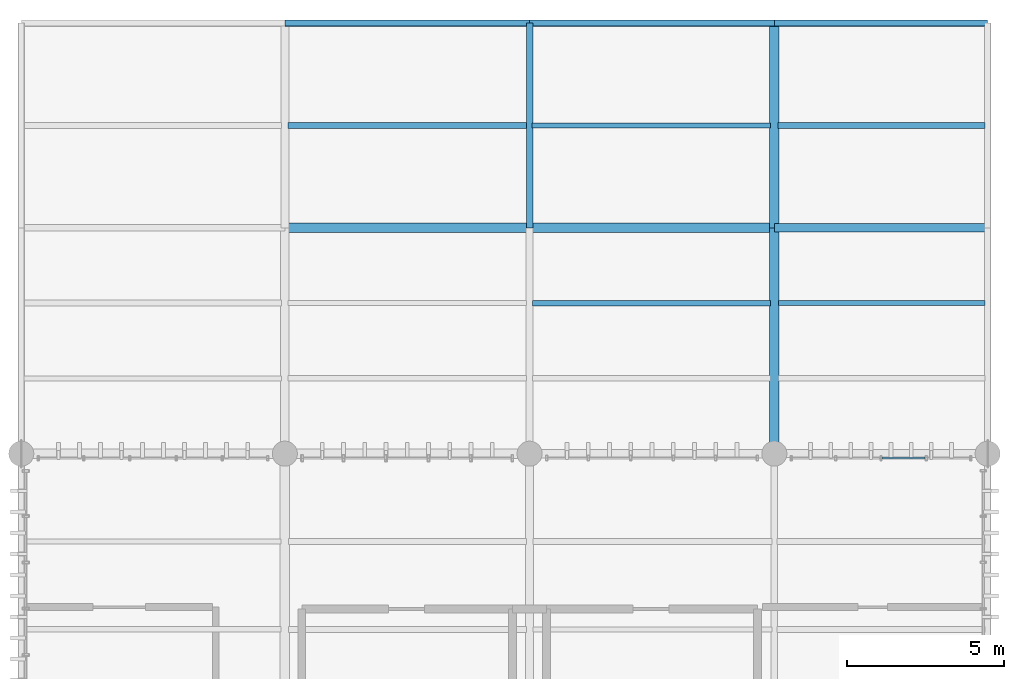
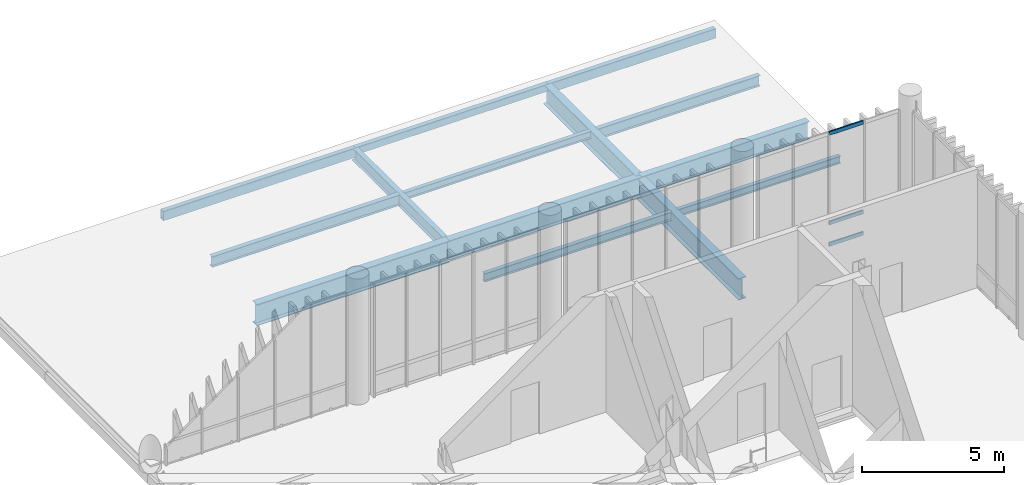
# One storey, part 90 of 128: 14 beams, 3 members, 1 element without a shape of its own.
"""IFC4 building model written with IfcOpenShell, lengths in metres."""

from ifc_helpers import new_model, si_unit, direction, frame, origin_with_axes, origin_2d_with_axis, place, context, subcontext, project, spatial, hollow_rectangle, i_section, extrude, material, material_profile, profile_set, type_object, element, aggregate, save


model = new_model("IFC4")

# Units and contexts
model_context = context("Model", 3, precision=1e-05, world=origin_with_axes(), true_north=direction((0.0, 1.0)))
body_context = subcontext(model_context, "Body", "Model", "MODEL_VIEW")
ifc_project = project(units=[si_unit("LENGTHUNIT", "METRE"), si_unit("AREAUNIT", "SQUARE_METRE"), si_unit("VOLUMEUNIT", "CUBIC_METRE"), si_unit("PLANEANGLEUNIT", "RADIAN"), si_unit("MASSUNIT", "GRAM", prefix="KILO"), si_unit("THERMODYNAMICTEMPERATUREUNIT", "KELVIN")], contexts=[model_context])

# Site, building, storey
site_placement = place(None, origin_with_axes())
site = spatial("IfcSite", under=ifc_project, at=site_placement, CompositionType="ELEMENT")
building_placement = place(site_placement, origin_with_axes())
building = spatial("IfcBuilding", under=site, at=building_placement, Name="Montbau Bow Law Courts", CompositionType="ELEMENT")
storey_placement = place(building_placement, frame((0.0, 0.0, 5.4), z_axis=(0.0, 0.0, 1.0), x_axis=(1.0, 0.0, 0.0)))
storey = spatial("IfcBuildingStorey", under=building, at=storey_placement, Name="L01", CompositionType="ELEMENT", Elevation=5.4)

# Beams
ifc_material_1 = material(Name="Steel CSA G40.21 Grade 350W (350 MPa)", Category="steel")
ifc_material_profile_1 = material_profile(ifc_material_1, i_section(OverallWidth=0.306, OverallDepth=0.919, WebThickness=0.0173, FlangeThickness=0.0279, at=origin_2d_with_axis()), Name="W920X253", Category="Main", Priority=0)
ifc_profile_set_1 = profile_set([ifc_material_profile_1], Name="Steel CSA G40.21 Grade 350W (350 MPa)")
beam_type_1 = type_object("IfcBeamType", Name="B-FLR-01", PredefinedType="BEAM", material=ifc_profile_set_1)
beam_1_placement = place(None, frame((147.0, 110.4, 4.691), z_axis=(1.0, 0.0, 0.0), x_axis=(0.0, 1.0, 0.0)))
element("IfcBeam", 1, at=beam_1_placement, inside=storey, type_object=beam_type_1, Name="BM-L01-S1123:bm2_1126", PredefinedType="BEAM", context=body_context, shape_type="SweptSolid", body=[
    extrude(i_section(OverallWidth=0.306, OverallDepth=0.919, WebThickness=0.0173, FlangeThickness=0.0279, at=origin_2d_with_axis()), origin_with_axes(), (0.0, 0.0, 1.0), 7.8),
])
beam_2_placement = place(None, frame((162.6, 103.2, 4.66), z_axis=(0.0, 1.0, 0.0), x_axis=(-1.0, 0.0, 0.0)))
element("IfcBeam", 2, at=beam_2_placement, inside=storey, type_object=beam_type_1, Name="BM-L01-S1156:bm2_1159", PredefinedType="BEAM", context=body_context, shape_type="SweptSolid", body=[
    extrude(i_section(OverallWidth=0.306, OverallDepth=0.919, WebThickness=0.0173, FlangeThickness=0.0279, at=origin_2d_with_axis()), origin_with_axes(), (0.0, 0.0, 1.0), 7.2),
])
ifc_material_profile_2 = material_profile(ifc_material_1, i_section(OverallWidth=0.293, OverallDepth=0.846, WebThickness=0.0154, FlangeThickness=0.0244, at=origin_2d_with_axis()), Name="W840X210", Category="Main", Priority=0)
ifc_profile_set_2 = profile_set([ifc_material_profile_2], Name="Steel CSA G40.21 Grade 350W (350 MPa)")
beam_type_2 = type_object("IfcBeamType", Name="B-FLR-02", PredefinedType="BEAM", material=ifc_profile_set_2)
beam_3_placement = place(None, frame((154.8, 110.4, 4.727), z_axis=(1.0, 0.0, 0.0), x_axis=(0.0, 1.0, 0.0)))
element("IfcBeam", 3, at=beam_3_placement, inside=storey, type_object=beam_type_2, Name="BM-L01-S1124:bm2_1127", PredefinedType="BEAM", context=body_context, shape_type="SweptSolid", body=[
    extrude(i_section(OverallWidth=0.293, OverallDepth=0.846, WebThickness=0.0154, FlangeThickness=0.0244, at=origin_2d_with_axis()), origin_with_axes(), (0.0, 0.0, 1.0), 7.8),
])
beam_4_placement = place(None, frame((162.6, 110.4, 4.727), z_axis=(0.0, 1.0, 0.0), x_axis=(-1.0, 0.0, 0.0)))
element("IfcBeam", 4, at=beam_4_placement, inside=storey, type_object=beam_type_2, Name="BM-L01-S1157:bm2_1160", PredefinedType="BEAM", context=body_context, shape_type="SweptSolid", body=[
    extrude(i_section(OverallWidth=0.293, OverallDepth=0.846, WebThickness=0.0154, FlangeThickness=0.0244, at=origin_2d_with_axis()), origin_with_axes(), (0.0, 0.0, 1.0), 6.52),
])
ifc_material_profile_3 = material_profile(ifc_material_1, i_section(OverallWidth=0.267, OverallDepth=0.766, WebThickness=0.0149, FlangeThickness=0.0236, at=origin_2d_with_axis()), Name="W760X185", Category="Main", Priority=0)
ifc_profile_set_3 = profile_set([ifc_material_profile_3], Name="Steel CSA G40.21 Grade 350W (350 MPa)")
beam_type_3 = type_object("IfcBeamType", Name="B-FLR-03", PredefinedType="BEAM", material=ifc_profile_set_3)
beam_5_placement = place(None, frame((162.6, 110.4, 4.767), z_axis=(1.0, 0.0, 0.0), x_axis=(0.0, 1.0, 0.0)))
element("IfcBeam", 5, at=beam_5_placement, inside=storey, type_object=beam_type_3, Name="BM-L01-S1125:bm2_1128", PredefinedType="BEAM", context=body_context, shape_type="SweptSolid", body=[
    extrude(i_section(OverallWidth=0.267, OverallDepth=0.766, WebThickness=0.0149, FlangeThickness=0.0236, at=origin_2d_with_axis()), origin_with_axes(), (0.0, 0.0, 1.0), 6.8),
])
ifc_material_profile_4 = material_profile(ifc_material_1, i_section(OverallWidth=0.21, OverallDepth=0.537, WebThickness=0.0109, FlangeThickness=0.0174, at=origin_2d_with_axis()), Name="W530X101", Category="Main", Priority=0)
ifc_profile_set_4 = profile_set([ifc_material_profile_4], Name="Steel CSA G40.21 Grade 350W (350 MPa)")
beam_type_4 = type_object("IfcBeamType", Name="B-FLR-06", PredefinedType="BEAM", material=ifc_profile_set_4)
beam_6_placement = place(None, frame((154.8, 110.4, 4.881), z_axis=(0.0, 1.0, 0.0), x_axis=(-1.0, 0.0, 0.0)))
element("IfcBeam", 6, at=beam_6_placement, inside=storey, type_object=beam_type_4, Name="BM-L01-S1150:bm2_1153", PredefinedType="BEAM", context=body_context, shape_type="SweptSolid", body=[
    extrude(i_section(OverallWidth=0.21, OverallDepth=0.537, WebThickness=0.0109, FlangeThickness=0.0174, at=origin_2d_with_axis()), origin_with_axes(), (0.0, 0.0, 1.0), 6.52),
])
ifc_material_profile_5 = material_profile(ifc_material_1, i_section(OverallWidth=0.191, OverallDepth=0.46, WebThickness=0.0099, FlangeThickness=0.016, at=origin_2d_with_axis()), Name="W460X82", Category="Main", Priority=0)
ifc_profile_set_5 = profile_set([ifc_material_profile_5], Name="Steel CSA G40.21 Grade 350W (350 MPa)")
beam_type_5 = type_object("IfcBeamType", Name="B-JST-01", PredefinedType="JOIST", material=ifc_profile_set_5)
beam_7_placement = place(None, frame((147.103, 113.66, 4.92), z_axis=(1.0, 0.0, 0.0), x_axis=(0.0, 1.0, 0.0)))
element("IfcBeam", 7, at=beam_7_placement, inside=storey, type_object=beam_type_5, Name="JST-L01-S0584:jst2_0584", PredefinedType="JOIST", context=body_context, shape_type="SweptSolid", body=[
    extrude(i_section(OverallWidth=0.191, OverallDepth=0.46, WebThickness=0.0099, FlangeThickness=0.016, at=origin_2d_with_axis()), origin_with_axes(), (0.0, 0.0, 1.0), 7.616),
])
beam_8_placement = place(None, frame((162.722, 113.66, 4.92), z_axis=(1.0, 0.0, 0.0), x_axis=(0.0, 1.0, 0.0)))
element("IfcBeam", 8, at=beam_8_placement, inside=storey, type_object=beam_type_5, Name="JST-L01-S0608:jst2_0608", PredefinedType="JOIST", context=body_context, shape_type="SweptSolid", body=[
    extrude(i_section(OverallWidth=0.191, OverallDepth=0.46, WebThickness=0.0099, FlangeThickness=0.016, at=origin_2d_with_axis()), origin_with_axes(), (0.0, 0.0, 1.0), 6.598),
])
ifc_material_profile_6 = material_profile(ifc_material_1, i_section(OverallWidth=0.172, OverallDepth=0.358, WebThickness=0.0079, FlangeThickness=0.0131, at=origin_2d_with_axis()), Name="W360X57", Category="Main", Priority=0)
ifc_profile_set_6 = profile_set([ifc_material_profile_6], Name="Steel CSA G40.21 Grade 350W (350 MPa)")
beam_type_6 = type_object("IfcBeamType", Name="B-JST-03", PredefinedType="JOIST", material=ifc_profile_set_6)
beam_9_placement = place(None, frame((154.891, 108.0, 4.941), z_axis=(1.0, 0.0, 0.0), x_axis=(0.0, 1.0, 0.0)))
element("IfcBeam", 9, at=beam_9_placement, inside=storey, type_object=beam_type_6, Name="JST-L01-S0594:jst2_0594", PredefinedType="JOIST", context=body_context, shape_type="SweptSolid", body=[
    extrude(i_section(OverallWidth=0.172, OverallDepth=0.358, WebThickness=0.0079, FlangeThickness=0.0131, at=origin_2d_with_axis()), origin_with_axes(), (0.0, 0.0, 1.0), 7.58),
])
ifc_material_profile_7 = material_profile(ifc_material_1, i_section(OverallWidth=0.166, OverallDepth=0.313, WebThickness=0.0066, FlangeThickness=0.0112, at=origin_2d_with_axis()), Name="W310X45", Category="Main", Priority=0)
ifc_profile_set_7 = profile_set([ifc_material_profile_7], Name="Steel CSA G40.21 Grade 350W (350 MPa)")
beam_type_7 = type_object("IfcBeamType", Name="B-JST-04", PredefinedType="JOIST", material=ifc_profile_set_7)
beam_10_placement = place(None, frame((154.881, 113.66, 4.994), z_axis=(1.0, 0.0, 0.0), x_axis=(0.0, 1.0, 0.0)))
element("IfcBeam", 10, at=beam_10_placement, inside=storey, type_object=beam_type_7, Name="JST-L01-S0595:jst2_0595", PredefinedType="JOIST", context=body_context, shape_type="SweptSolid", body=[
    extrude(i_section(OverallWidth=0.166, OverallDepth=0.313, WebThickness=0.0066, FlangeThickness=0.0112, at=origin_2d_with_axis()), origin_with_axes(), (0.0, 0.0, 1.0), 7.596),
])
beam_11_placement = place(None, frame((162.729, 108.0, 4.963), z_axis=(1.0, 0.0, 0.0), x_axis=(0.0, 1.0, 0.0)))
element("IfcBeam", 11, at=beam_11_placement, inside=storey, type_object=beam_type_7, Name="JST-L01-S0607:jst2_0607", PredefinedType="JOIST", context=body_context, shape_type="SweptSolid", body=[
    extrude(i_section(OverallWidth=0.166, OverallDepth=0.313, WebThickness=0.0066, FlangeThickness=0.0112, at=origin_2d_with_axis()), origin_with_axes(), (0.0, 0.0, 1.0), 6.591),
])
ifc_material_2 = material(Name="Steel CSA G40.21 Grade 350WT (350 MPa)", Category="steel")
ifc_material_profile_8 = material_profile(ifc_material_2, hollow_rectangle(XDim=0.203, YDim=0.406, WallThickness=0.0127, InnerFilletRadius=0.0254, OuterFilletRadius=0.0127, at=origin_2d_with_axis()), Name="HSS406X203X13", Category="Main", Priority=0)
ifc_profile_set_8 = profile_set([ifc_material_profile_8], Name="Steel CSA G40.21 Grade 350WT (350 MPa)")
beam_type_8 = type_object("IfcBeamType", Name="B-SPN-01", PredefinedType="SPANDREL", material=ifc_profile_set_8)
beam_12_placement = place(None, frame((147.0, 116.92, 4.947), z_axis=(1.0, 0.0, 0.0), x_axis=(0.0, 1.0, 0.0)))
element("IfcBeam", 12, at=beam_12_placement, inside=storey, type_object=beam_type_8, Name="SPN-L01-S1127:bm2_1130", PredefinedType="SPANDREL", context=body_context, shape_type="SweptSolid", body=[
    extrude(hollow_rectangle(XDim=0.203, YDim=0.406, WallThickness=0.0127, InnerFilletRadius=0.0254, OuterFilletRadius=0.0127, at=origin_2d_with_axis()), origin_with_axes(), (0.0, 0.0, 1.0), 7.8),
])
beam_13_placement = place(None, frame((162.6, 116.92, 4.947), z_axis=(1.0, 0.0, 0.0), x_axis=(0.0, 1.0, 0.0)))
element("IfcBeam", 13, at=beam_13_placement, inside=storey, type_object=beam_type_8, Name="SPN-L01-S1129:bm2_1132", PredefinedType="SPANDREL", context=body_context, shape_type="SweptSolid", body=[
    extrude(hollow_rectangle(XDim=0.203, YDim=0.406, WallThickness=0.0127, InnerFilletRadius=0.0254, OuterFilletRadius=0.0127, at=origin_2d_with_axis()), origin_with_axes(), (0.0, 0.0, 1.0), 6.8),
])
ifc_material_profile_9 = material_profile(ifc_material_2, hollow_rectangle(XDim=0.203, YDim=0.305, WallThickness=0.0127, InnerFilletRadius=0.0254, OuterFilletRadius=0.0127, at=origin_2d_with_axis()), Name="HSS305X203X13", Category="Main", Priority=0)
ifc_profile_set_9 = profile_set([ifc_material_profile_9], Name="Steel CSA G40.21 Grade 350WT (350 MPa)")
beam_type_9 = type_object("IfcBeamType", Name="B-SPN-02", PredefinedType="SPANDREL", material=ifc_profile_set_9)
beam_14_placement = place(None, frame((154.8, 116.92, 4.998), z_axis=(1.0, 0.0, 0.0), x_axis=(0.0, 1.0, 0.0)))
element("IfcBeam", 14, at=beam_14_placement, inside=storey, type_object=beam_type_9, Name="SPN-L01-S1128:bm2_1131", PredefinedType="SPANDREL", context=body_context, shape_type="SweptSolid", body=[
    extrude(hollow_rectangle(XDim=0.203, YDim=0.305, WallThickness=0.0127, InnerFilletRadius=0.0254, OuterFilletRadius=0.0127, at=origin_2d_with_axis()), origin_with_axes(), (0.0, 0.0, 1.0), 7.8),
])

# Curtain wall, members
ifc_material_3 = material(Name="Thermally Broken Extruded Aluminium AA 6063-T6", Category="aluminium")
curtain_wall_type = type_object("IfcCurtainWallType", Name="CW-SLT-01", PredefinedType="NOTDEFINED", material=ifc_material_3)
curtain_wall_placement = place(None, frame((163.115, 103.06, 5.4), z_axis=(0.0, 0.0, 1.0), x_axis=(1.0, 0.0, 0.0)))
curtain_wall = element("IfcCurtainWall", 15, at=curtain_wall_placement, inside=storey, type_object=curtain_wall_type, Name="CW-L01-284:cw_0284", PredefinedType="NOTDEFINED")
ifc_material_profile_10 = material_profile(ifc_material_3, hollow_rectangle(XDim=0.06, YDim=0.16, WallThickness=0.004, InnerFilletRadius=0.008, OuterFilletRadius=0.004, at=origin_2d_with_axis()), Name="CWT-160X60", Category="Main", Priority=0)
ifc_profile_set_10 = profile_set([ifc_material_profile_10], Name="Thermally Broken Extruded Aluminium AA 6063-T6")
member_type = type_object("IfcMemberType", Name="M-TRN-01", PredefinedType="USERDEFINED", material=ifc_profile_set_10)
member_1_placement = place(None, frame((166.032, 103.06, 5.43), z_axis=(1.0, 0.0, 0.0), x_axis=(0.0, 1.0, 0.0)))
member_1 = element("IfcMember", 16, at=member_1_placement, type_object=member_type, Name="CW-L01-284-T03-1:cw_0284_T03_1", ObjectType="TRANSOM", PredefinedType="USERDEFINED", context=body_context, shape_type="SweptSolid", body=[
    extrude(hollow_rectangle(XDim=0.06, YDim=0.16, WallThickness=0.004, InnerFilletRadius=0.008, OuterFilletRadius=0.004, at=origin_2d_with_axis()), origin_with_axes(), (0.0, 0.0, 1.0), 1.378),
])
member_2_placement = place(None, frame((166.032, 103.06, 6.35), z_axis=(1.0, 0.0, 0.0), x_axis=(0.0, 1.0, 0.0)))
member_2 = element("IfcMember", 17, at=member_2_placement, type_object=member_type, Name="CW-L01-284-T03-2:cw_0284_T03_2", ObjectType="TRANSOM", PredefinedType="USERDEFINED", context=body_context, shape_type="SweptSolid", body=[
    extrude(hollow_rectangle(XDim=0.06, YDim=0.16, WallThickness=0.004, InnerFilletRadius=0.008, OuterFilletRadius=0.004, at=origin_2d_with_axis()), origin_with_axes(), (0.0, 0.0, 1.0), 1.378),
])
member_3_placement = place(None, frame((166.032, 103.06, 10.19), z_axis=(1.0, 0.0, 0.0), x_axis=(0.0, 1.0, 0.0)))
member_3 = element("IfcMember", 18, at=member_3_placement, type_object=member_type, Name="CW-L01-284-T03-3:cw_0284_T03_3", ObjectType="TRANSOM", PredefinedType="USERDEFINED", context=body_context, shape_type="SweptSolid", body=[
    extrude(hollow_rectangle(XDim=0.06, YDim=0.16, WallThickness=0.004, InnerFilletRadius=0.008, OuterFilletRadius=0.004, at=origin_2d_with_axis()), origin_with_axes(), (0.0, 0.0, 1.0), 1.378),
])
aggregate(curtain_wall, [member_1, member_2, member_3])

save(model, "model.ifc")
